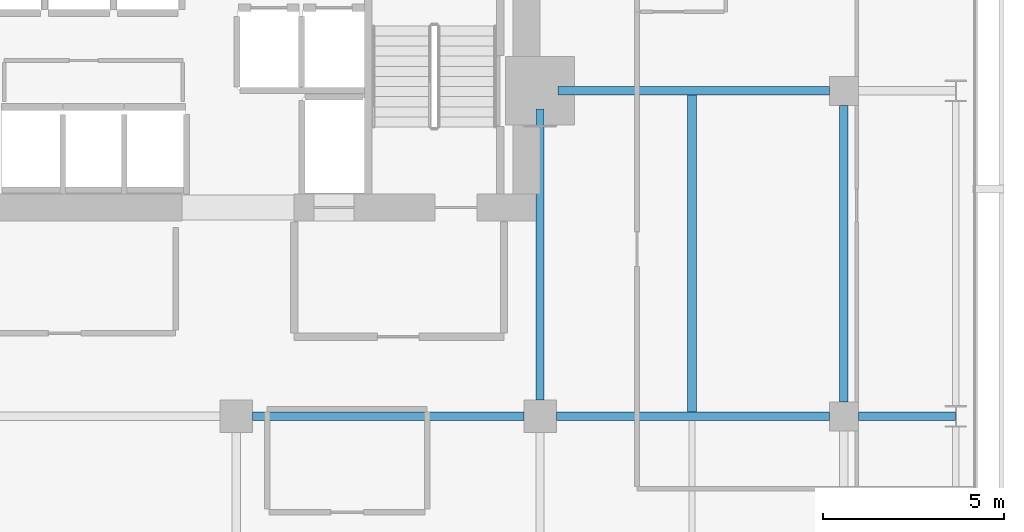
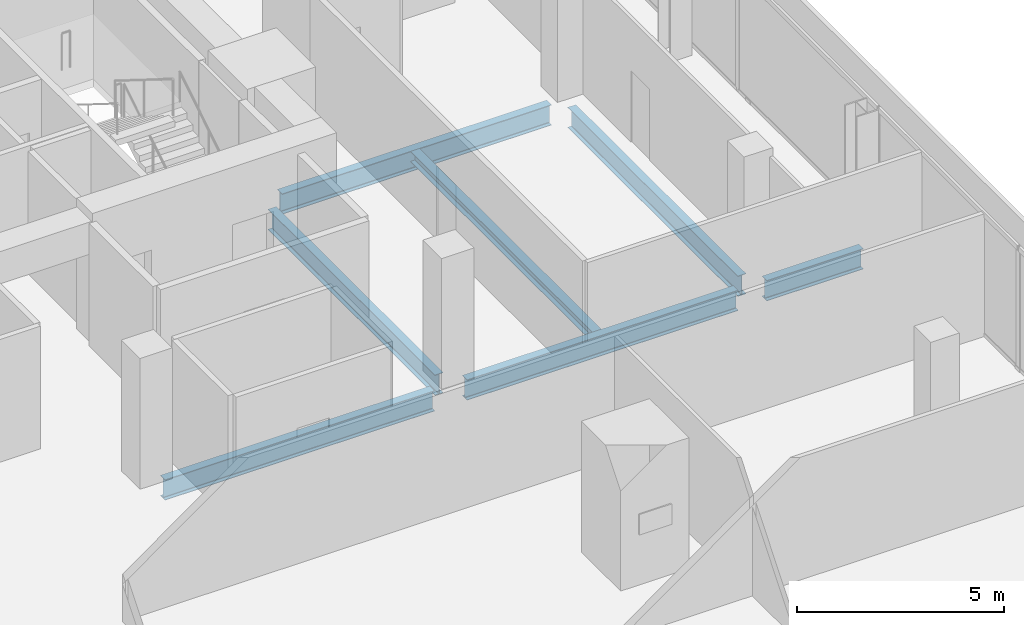
# One storey, part 23 of 32: 7 beams.
"""IFC4 building model written with IfcOpenShell, lengths in metres."""

from ifc_helpers import new_model, si_unit, direction, frame, origin, origin_2d, place, context, subcontext, project, spatial, i_section, extrude, material, material_profile, profile_set, type_object, element, save


model = new_model("IFC4")

# Units and contexts
model_context = context("Model", 3, precision=1e-05, world=origin(), true_north=direction((0.0, 1.0)))
body_context = subcontext(model_context, "Body", "Model", "MODEL_VIEW")
ifc_project = project(units=[si_unit("LENGTHUNIT", "METRE"), si_unit("AREAUNIT", "SQUARE_METRE"), si_unit("VOLUMEUNIT", "CUBIC_METRE"), si_unit("PLANEANGLEUNIT", "RADIAN"), si_unit("MASSUNIT", "GRAM", prefix="KILO")], contexts=[model_context])

# Site, building, storey
site_placement = place(None, origin())
site = spatial("IfcSite", under=ifc_project, at=site_placement, CompositionType="ELEMENT")
building_placement = place(site_placement, origin())
building = spatial("IfcBuilding", under=site, at=building_placement, Name="Maruvema Waterfront Hotel and Observation Tower", CompositionType="ELEMENT")
storey_placement = place(building_placement, frame((0.0, 0.0, 162.050048828125)))
storey = spatial("IfcBuildingStorey", under=building, at=storey_placement, Name="L39", CompositionType="ELEMENT", Elevation=162.050048828125)

# Beams
ifc_material_1 = material(Name="Steel ASTM A572 Grade 50", Category="steel")
ifc_material_profile_1 = material_profile(ifc_material_1, i_section(OverallWidth=0.22802734375, OverallDepth=0.60302734375, WebThickness=0.010498046875, FlangeThickness=0.014892578125, FilletRadius=0.01806640625, at=origin_2d()), Name="W610x101.0")
ifc_profile_set_1 = profile_set([ifc_material_profile_1], Name="Steel ASTM A572 Grade 50")
beam_type_1 = type_object("IfcBeamType", Name="Primary Floor Girder W610x101.0", PredefinedType="BEAM", material=ifc_profile_set_1)
beam_1_placement = place(storey_placement, frame((42.449951171875, 36.0, -0.54150390625), z_axis=(1.0, 0.0, 0.0), x_axis=(0.0, 1.0, 0.0)))
element("IfcBeam", 1, at=beam_1_placement, inside=storey, type_object=beam_type_1, Name="L39 Floor Girder EW-27", PredefinedType="BEAM", context=body_context, shape_type="SweptSolid", body=[
    extrude(i_section(OverallWidth=0.22802734375, OverallDepth=0.60302734375, WebThickness=0.010498046875, FlangeThickness=0.014892578125, FilletRadius=0.01806640625, at=origin_2d()), origin(), (0.0, 0.0, 1.0), 7.5),
])
beam_2_placement = place(storey_placement, frame((50.85009765625, 36.0, -0.54150390625), z_axis=(1.0, 0.0, 0.0), x_axis=(0.0, 1.0, 0.0)))
element("IfcBeam", 2, at=beam_2_placement, inside=storey, type_object=beam_type_1, Name="L39 Floor Girder EW-28", PredefinedType="BEAM", context=body_context, shape_type="SweptSolid", body=[
    extrude(i_section(OverallWidth=0.22802734375, OverallDepth=0.60302734375, WebThickness=0.010498046875, FlangeThickness=0.014892578125, FilletRadius=0.01806640625, at=origin_2d()), origin(), (0.0, 0.0, 1.0), 7.5498046875),
])
beam_3_placement = place(storey_placement, frame((59.199951171875, 36.0, -0.54150390625), z_axis=(1.0, 0.0, 0.0), x_axis=(0.0, 1.0, 0.0)))
element("IfcBeam", 3, at=beam_3_placement, inside=storey, type_object=beam_type_1, Name="L39 Floor Girder EW-29", PredefinedType="BEAM", context=body_context, shape_type="SweptSolid", body=[
    extrude(i_section(OverallWidth=0.22802734375, OverallDepth=0.60302734375, WebThickness=0.010498046875, FlangeThickness=0.014892578125, FilletRadius=0.01806640625, at=origin_2d()), origin(), (0.0, 0.0, 1.0), 2.6875),
])
beam_4_placement = place(storey_placement, frame((50.89990234375, 45.0, -0.54150390625), z_axis=(1.0, 0.0, 0.0), x_axis=(0.0, 1.0, 0.0)))
element("IfcBeam", 4, at=beam_4_placement, inside=storey, type_object=beam_type_1, Name="L39 Floor Girder EW-32", PredefinedType="BEAM", context=body_context, shape_type="SweptSolid", body=[
    extrude(i_section(OverallWidth=0.22802734375, OverallDepth=0.60302734375, WebThickness=0.010498046875, FlangeThickness=0.014892578125, FilletRadius=0.01806640625, at=origin_2d()), origin(), (0.0, 0.0, 1.0), 7.5),
])
beam_5_placement = place(storey_placement, frame((50.39990234375, 36.449951171875, -0.54150390625), z_axis=(0.0, 1.0, 0.0), x_axis=(-1.0, 0.0, 0.0)))
element("IfcBeam", 5, at=beam_5_placement, inside=storey, type_object=beam_type_1, Name="L39 Floor Girder NS-24", PredefinedType="BEAM", context=body_context, shape_type="SweptSolid", body=[
    extrude(i_section(OverallWidth=0.22802734375, OverallDepth=0.60302734375, WebThickness=0.010498046875, FlangeThickness=0.014892578125, FilletRadius=0.01806640625, at=origin_2d()), origin(), (0.0, 0.0, 1.0), 8.050048828125),
])
beam_6_placement = place(storey_placement, frame((58.800048828125, 36.39990234375, -0.54150390625), z_axis=(0.0, 1.0, 0.0), x_axis=(-1.0, 0.0, 0.0)))
element("IfcBeam", 6, at=beam_6_placement, inside=storey, type_object=beam_type_1, Name="L39 Floor Girder NS-28", PredefinedType="BEAM", context=body_context, shape_type="SweptSolid", body=[
    extrude(i_section(OverallWidth=0.22802734375, OverallDepth=0.60302734375, WebThickness=0.010498046875, FlangeThickness=0.014892578125, FilletRadius=0.01806640625, at=origin_2d()), origin(), (0.0, 0.0, 1.0), 8.2001953125),
])
ifc_material_2 = material(Name="Steel ASTM A572 Grade 50", Category="steel")
ifc_material_profile_2 = material_profile(ifc_material_2, i_section(OverallWidth=0.25390625, OverallDepth=0.305908203125, WebThickness=0.0087890625, FlangeThickness=0.0146484375, FilletRadius=0.014892578125, at=origin_2d()), Name="W310x79.0")
ifc_profile_set_2 = profile_set([ifc_material_profile_2], Name="Steel ASTM A572 Grade 50")
beam_type_2 = type_object("IfcBeamType", Name="Secondary Floor Joist W310x79.0", PredefinedType="JOIST", material=ifc_profile_set_2)
beam_7_placement = place(storey_placement, frame((54.60009765625, 36.114013671875, -0.39306640625), z_axis=(0.0, 1.0, 0.0), x_axis=(-1.0, 0.0, 0.0)))
element("IfcBeam", 7, at=beam_7_placement, inside=storey, type_object=beam_type_2, Name="L39 Secondary Floor Joist JS-14", PredefinedType="JOIST", context=body_context, shape_type="SweptSolid", body=[
    extrude(i_section(OverallWidth=0.25390625, OverallDepth=0.305908203125, WebThickness=0.0087890625, FlangeThickness=0.0146484375, FilletRadius=0.014892578125, at=origin_2d()), origin(), (0.0, 0.0, 1.0), 8.77197265625),
])

save(model, "model.ifc")
